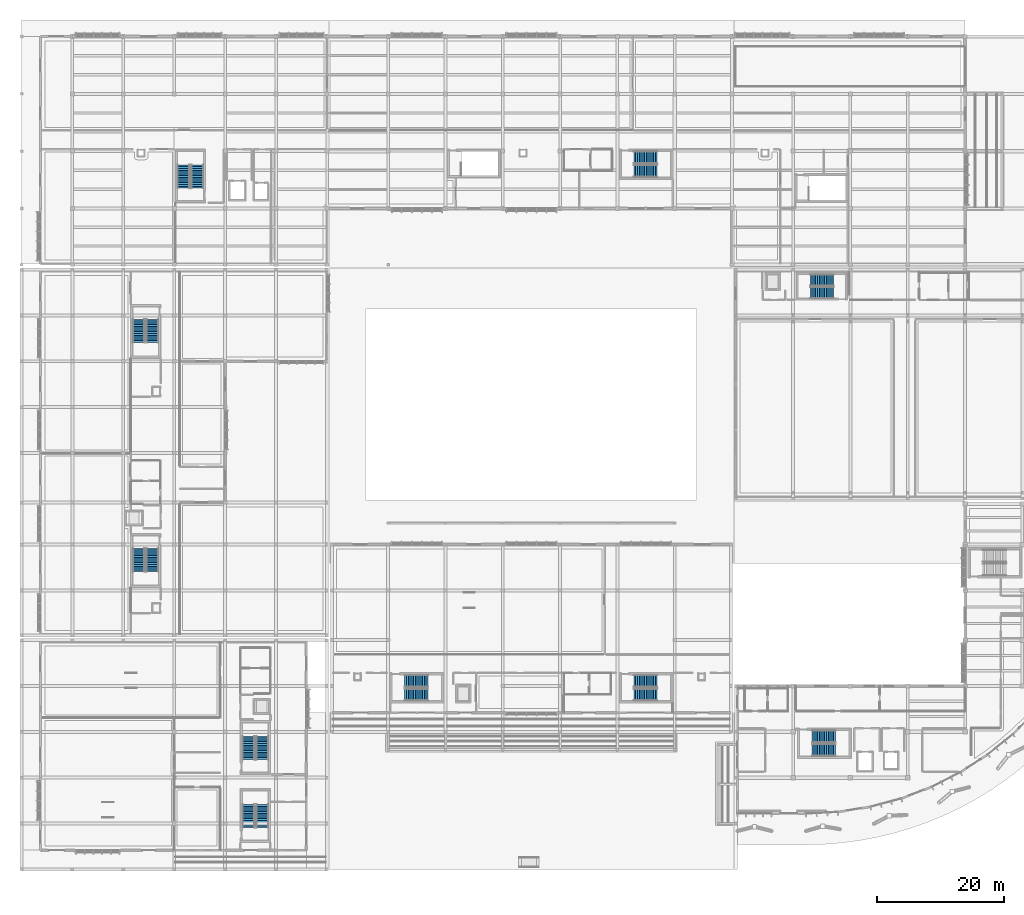
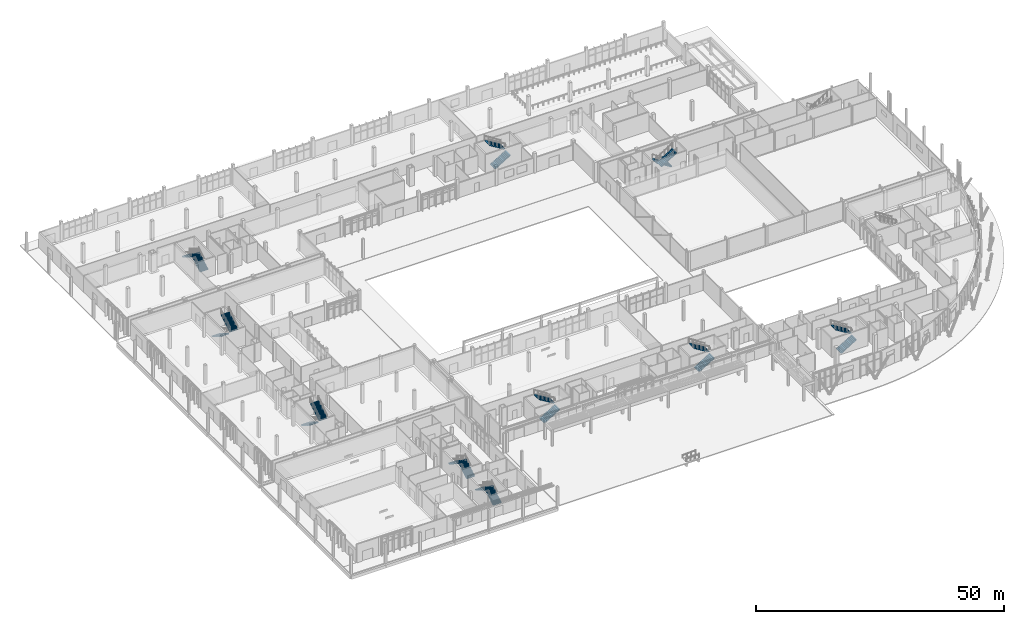
# One storey, part 132 of 151: 20 stair flights, 10 elements without a shape of their own.
"""IFC4 building model written with IfcOpenShell, lengths in metres."""

from ifc_helpers import new_model, si_unit, direction, frame, origin, place, context, subcontext, project, spatial, polyline, outline, extrude, material, type_object, element, aggregate, save


model = new_model("IFC4")

# Units and contexts
model_context = context("Model", 3, precision=1e-05, world=origin(), true_north=direction((0.0, 1.0)))
body_context = subcontext(model_context, "Body", "Model", "MODEL_VIEW")
ifc_project = project(units=[si_unit("LENGTHUNIT", "METRE"), si_unit("AREAUNIT", "SQUARE_METRE"), si_unit("VOLUMEUNIT", "CUBIC_METRE"), si_unit("PLANEANGLEUNIT", "RADIAN"), si_unit("MASSUNIT", "GRAM", prefix="KILO")], contexts=[model_context])

# Site, building, storey
site_placement = place(None, origin())
site = spatial("IfcSite", under=ifc_project, at=site_placement, CompositionType="ELEMENT")
building_placement = place(site_placement, origin())
building = spatial("IfcBuilding", under=site, at=building_placement, Name="Chiffa Square Polytechnic", CompositionType="ELEMENT")
storey_placement = place(building_placement, origin())
storey = spatial("IfcBuildingStorey", under=building, at=storey_placement, Name="L00", CompositionType="ELEMENT", Elevation=0.0)

# Stair, stair flights
ifc_material = material(Name="Concrete C35/45", Category="concrete")
stair_type_1 = type_object("IfcStairType", Name="STAIR-STR-1850", PredefinedType="HALF_TURN_STAIR", material=ifc_material)
stair_1_placement = place(storey_placement, origin())
stair_1 = element("IfcStair", 1, at=stair_1_placement, inside=storey, type_object=stair_type_1, Name="L00 Enclosed exit stair ST-V2A", PredefinedType="HALF_TURN_STAIR")
stair_flight_type_1 = type_object("IfcStairFlightType", Name="STFLT-1850", PredefinedType="STRAIGHT", material=ifc_material)
stair_flight_1_placement = place(storey_placement, frame((127.550048828125, 92.52490234375, 0.0), z_axis=(0.0, 0.0, 1.0), x_axis=(-1.0, 0.0, 0.0)))
stair_flight_1 = element("IfcStairFlight", 2, at=stair_flight_1_placement, type_object=stair_flight_type_1, Name="ST-V2A flight 1", NumberOfRisers=14, NumberOfTreads=13, PredefinedType="STRAIGHT", RiserHeight=0.171428571, TreadLength=0.28, context=body_context, shape_type="SweptSolid", body=[
    extrude(outline(polyline([(0.0, 0.0), (0.0, 0.17138671875), (0.280029296875, 0.17138671875), (0.280029296875, 0.3427734375), (0.56005859375, 0.3427734375), (0.56005859375, 0.514404296875), (0.840087890625, 0.514404296875), (0.840087890625, 0.685791015625), (1.1201171875, 0.685791015625), (1.1201171875, 0.857177734375), (1.39990234375, 0.857177734375), (1.39990234375, 1.028564453125), (1.679931640625, 1.028564453125), (1.679931640625, 1.199951171875), (1.9599609375, 1.199951171875), (1.9599609375, 1.371337890625), (2.239990234375, 1.371337890625), (2.239990234375, 1.54296875), (2.52001953125, 1.54296875), (2.52001953125, 1.71435546875), (2.800048828125, 1.71435546875), (2.800048828125, 1.8857421875), (3.080078125, 1.8857421875), (3.080078125, 2.05712890625), (3.360107421875, 2.05712890625), (3.360107421875, 2.228515625), (3.639892578125, 2.228515625), (3.639892578125, 2.39990234375), (3.639892578125, 2.041015625), (0.30615234375, 0.0), (0.0, 0.0)])), frame((0.0, 0.925048828125, 0.0), z_axis=(0.0, -1.0, 0.0), x_axis=(1.0, 0.0, 0.0)), (0.0, 0.0, 1.0), 1.85009765625),
])
stair_flight_2_placement = place(storey_placement, frame((123.909912109375, 90.574951171875, 2.39990234375), z_axis=(0.0, 0.0, 1.0), x_axis=(1.0, 0.0, 0.0)))
stair_flight_2 = element("IfcStairFlight", 3, at=stair_flight_2_placement, type_object=stair_flight_type_1, Name="ST-V2A flight 2", NumberOfRisers=14, NumberOfTreads=13, PredefinedType="STRAIGHT", RiserHeight=0.171428571, TreadLength=0.28, context=body_context, shape_type="SweptSolid", body=[
    extrude(outline(polyline([(0.0, 0.0), (0.0, 0.17138671875), (0.280029296875, 0.17138671875), (0.280029296875, 0.3427734375), (0.56005859375, 0.3427734375), (0.56005859375, 0.514404296875), (0.840087890625, 0.514404296875), (0.840087890625, 0.685791015625), (1.1201171875, 0.685791015625), (1.1201171875, 0.857177734375), (1.39990234375, 0.857177734375), (1.39990234375, 1.028564453125), (1.679931640625, 1.028564453125), (1.679931640625, 1.199951171875), (1.9599609375, 1.199951171875), (1.9599609375, 1.371337890625), (2.239990234375, 1.371337890625), (2.239990234375, 1.54296875), (2.52001953125, 1.54296875), (2.52001953125, 1.71435546875), (2.800048828125, 1.71435546875), (2.800048828125, 1.8857421875), (3.080078125, 1.8857421875), (3.080078125, 2.05712890625), (3.360107421875, 2.05712890625), (3.360107421875, 2.228515625), (3.639892578125, 2.228515625), (3.639892578125, 2.39990234375), (3.639892578125, 2.041015625), (0.30615234375, 0.0), (0.0, 0.0)])), frame((0.0, 0.925048828125, 0.0), z_axis=(0.0, -1.0, 0.0), x_axis=(1.0, 0.0, 0.0)), (0.0, 0.0, 1.0), 1.85009765625),
])
aggregate(stair_1, [stair_flight_1, stair_flight_2])

stair_type_2 = type_object("IfcStairType", Name="STAIR-DOG-1950", PredefinedType="HALF_TURN_STAIR", material=ifc_material)
stair_2_placement = place(storey_placement, origin())
stair_2 = element("IfcStair", 4, at=stair_2_placement, inside=storey, type_object=stair_type_2, Name="L00 Enclosed exit stair ST-V1A", PredefinedType="HALF_TURN_STAIR")
stair_flight_type_2 = type_object("IfcStairFlightType", Name="STFLT-1950", PredefinedType="STRAIGHT", material=ifc_material)
stair_flight_3_placement = place(storey_placement, frame((124.199951171875, 18.72509765625, 0.0), z_axis=(0.0, 0.0, 1.0), x_axis=(1.0, 0.0, 0.0)))
stair_flight_3 = element("IfcStairFlight", 5, at=stair_flight_3_placement, type_object=stair_flight_type_2, Name="ST-V1A flight 1", NumberOfRisers=14, NumberOfTreads=13, PredefinedType="STRAIGHT", RiserHeight=0.171428571, TreadLength=0.28, context=body_context, shape_type="SweptSolid", body=[
    extrude(outline(polyline([(0.0, 0.0), (0.0, 0.17138671875), (0.280029296875, 0.17138671875), (0.280029296875, 0.3427734375), (0.56005859375, 0.3427734375), (0.56005859375, 0.514404296875), (0.840087890625, 0.514404296875), (0.840087890625, 0.685791015625), (1.1201171875, 0.685791015625), (1.1201171875, 0.857177734375), (1.39990234375, 0.857177734375), (1.39990234375, 1.028564453125), (1.679931640625, 1.028564453125), (1.679931640625, 1.199951171875), (1.9599609375, 1.199951171875), (1.9599609375, 1.371337890625), (2.239990234375, 1.371337890625), (2.239990234375, 1.54296875), (2.52001953125, 1.54296875), (2.52001953125, 1.71435546875), (2.800048828125, 1.71435546875), (2.800048828125, 1.8857421875), (3.080078125, 1.8857421875), (3.080078125, 2.05712890625), (3.360107421875, 2.05712890625), (3.360107421875, 2.228515625), (3.639892578125, 2.228515625), (3.639892578125, 2.39990234375), (3.639892578125, 2.041015625), (0.30615234375, 0.0), (0.0, 0.0)])), frame((0.0, 0.97509765625, 0.0), z_axis=(0.0, -1.0, 0.0), x_axis=(1.0, 0.0, 0.0)), (0.0, 0.0, 1.0), 1.949951171875),
])
stair_flight_4_placement = place(storey_placement, frame((127.840087890625, 20.875, 2.39990234375), z_axis=(0.0, 0.0, 1.0), x_axis=(-1.0, 0.0, 0.0)))
stair_flight_4 = element("IfcStairFlight", 6, at=stair_flight_4_placement, type_object=stair_flight_type_2, Name="ST-V1A flight 2", NumberOfRisers=14, NumberOfTreads=13, PredefinedType="STRAIGHT", RiserHeight=0.171428571, TreadLength=0.28, context=body_context, shape_type="SweptSolid", body=[
    extrude(outline(polyline([(0.0, 0.0), (0.0, 0.17138671875), (0.280029296875, 0.17138671875), (0.280029296875, 0.3427734375), (0.56005859375, 0.3427734375), (0.56005859375, 0.514404296875), (0.840087890625, 0.514404296875), (0.840087890625, 0.685791015625), (1.1201171875, 0.685791015625), (1.1201171875, 0.857177734375), (1.39990234375, 0.857177734375), (1.39990234375, 1.028564453125), (1.679931640625, 1.028564453125), (1.679931640625, 1.199951171875), (1.9599609375, 1.199951171875), (1.9599609375, 1.371337890625), (2.239990234375, 1.371337890625), (2.239990234375, 1.54296875), (2.52001953125, 1.54296875), (2.52001953125, 1.71435546875), (2.800048828125, 1.71435546875), (2.800048828125, 1.8857421875), (3.080078125, 1.8857421875), (3.080078125, 2.05712890625), (3.360107421875, 2.05712890625), (3.360107421875, 2.228515625), (3.639892578125, 2.228515625), (3.639892578125, 2.39990234375), (3.639892578125, 2.041015625), (0.30615234375, 0.0), (0.0, 0.0)])), frame((0.0, 0.97509765625, 0.0), z_axis=(0.0, -1.0, 0.0), x_axis=(1.0, 0.0, 0.0)), (0.0, 0.0, 1.0), 1.949951171875),
])
aggregate(stair_2, [stair_flight_3, stair_flight_4])

stair_3_placement = place(storey_placement, origin())
stair_3 = element("IfcStair", 7, at=stair_3_placement, inside=storey, type_object=stair_type_2, Name="L00 Enclosed exit stair ST-V3A", PredefinedType="HALF_TURN_STAIR")
stair_flight_5_placement = place(storey_placement, frame((37.824951171875, 6.550048828125, 0.0), z_axis=(0.0, 0.0, 1.0), x_axis=(0.0, 1.0, 0.0)))
stair_flight_5 = element("IfcStairFlight", 8, at=stair_flight_5_placement, type_object=stair_flight_type_2, Name="ST-V3A flight 1", NumberOfRisers=14, NumberOfTreads=13, PredefinedType="STRAIGHT", RiserHeight=0.171428571, TreadLength=0.28, context=body_context, shape_type="SweptSolid", body=[
    extrude(outline(polyline([(0.0, 0.0), (0.0, 0.17138671875), (0.280029296875, 0.17138671875), (0.280029296875, 0.3427734375), (0.56005859375, 0.3427734375), (0.56005859375, 0.514404296875), (0.840087890625, 0.514404296875), (0.840087890625, 0.685791015625), (1.1201171875, 0.685791015625), (1.1201171875, 0.857177734375), (1.39990234375, 0.857177734375), (1.39990234375, 1.028564453125), (1.679931640625, 1.028564453125), (1.679931640625, 1.199951171875), (1.9599609375, 1.199951171875), (1.9599609375, 1.371337890625), (2.239990234375, 1.371337890625), (2.239990234375, 1.54296875), (2.52001953125, 1.54296875), (2.52001953125, 1.71435546875), (2.800048828125, 1.71435546875), (2.800048828125, 1.8857421875), (3.080078125, 1.8857421875), (3.080078125, 2.05712890625), (3.360107421875, 2.05712890625), (3.360107421875, 2.228515625), (3.639892578125, 2.228515625), (3.639892578125, 2.39990234375), (3.639892578125, 2.041015625), (0.30615234375, 0.0), (0.0, 0.0)])), frame((0.0, 0.97509765625, 0.0), z_axis=(0.0, -1.0, 0.0), x_axis=(1.0, 0.0, 0.0)), (0.0, 0.0, 1.0), 1.949951171875),
])
stair_flight_6_placement = place(storey_placement, frame((35.675048828125, 10.18994140625, 2.39990234375), z_axis=(0.0, 0.0, 1.0), x_axis=(0.0, -1.0, 0.0)))
stair_flight_6 = element("IfcStairFlight", 9, at=stair_flight_6_placement, type_object=stair_flight_type_2, Name="ST-V3A flight 2", NumberOfRisers=14, NumberOfTreads=13, PredefinedType="STRAIGHT", RiserHeight=0.171428571, TreadLength=0.28, context=body_context, shape_type="SweptSolid", body=[
    extrude(outline(polyline([(0.0, 0.0), (0.0, 0.17138671875), (0.280029296875, 0.17138671875), (0.280029296875, 0.3427734375), (0.56005859375, 0.3427734375), (0.56005859375, 0.514404296875), (0.840087890625, 0.514404296875), (0.840087890625, 0.685791015625), (1.1201171875, 0.685791015625), (1.1201171875, 0.857177734375), (1.39990234375, 0.857177734375), (1.39990234375, 1.028564453125), (1.679931640625, 1.028564453125), (1.679931640625, 1.199951171875), (1.9599609375, 1.199951171875), (1.9599609375, 1.371337890625), (2.239990234375, 1.371337890625), (2.239990234375, 1.54296875), (2.52001953125, 1.54296875), (2.52001953125, 1.71435546875), (2.800048828125, 1.71435546875), (2.800048828125, 1.8857421875), (3.080078125, 1.8857421875), (3.080078125, 2.05712890625), (3.360107421875, 2.05712890625), (3.360107421875, 2.228515625), (3.639892578125, 2.228515625), (3.639892578125, 2.39990234375), (3.639892578125, 2.041015625), (0.30615234375, 0.0), (0.0, 0.0)])), frame((0.0, 0.97509765625, 0.0), z_axis=(0.0, -1.0, 0.0), x_axis=(1.0, 0.0, 0.0)), (0.0, 0.0, 1.0), 1.949951171875),
])
aggregate(stair_3, [stair_flight_5, stair_flight_6])

stair_4_placement = place(storey_placement, origin())
stair_4 = element("IfcStair", 10, at=stair_4_placement, inside=storey, type_object=stair_type_2, Name="L00 Enclosed exit stair ST-V3B", PredefinedType="HALF_TURN_STAIR")
stair_flight_7_placement = place(storey_placement, frame((37.824951171875, 17.25, 0.0), z_axis=(0.0, 0.0, 1.0), x_axis=(0.0, 1.0, 0.0)))
stair_flight_7 = element("IfcStairFlight", 11, at=stair_flight_7_placement, type_object=stair_flight_type_2, Name="ST-V3B flight 1", NumberOfRisers=14, NumberOfTreads=13, PredefinedType="STRAIGHT", RiserHeight=0.171428571, TreadLength=0.28, context=body_context, shape_type="SweptSolid", body=[
    extrude(outline(polyline([(0.0, 0.0), (0.0, 0.17138671875), (0.280029296875, 0.17138671875), (0.280029296875, 0.3427734375), (0.56005859375, 0.3427734375), (0.56005859375, 0.514404296875), (0.840087890625, 0.514404296875), (0.840087890625, 0.685791015625), (1.1201171875, 0.685791015625), (1.1201171875, 0.857177734375), (1.39990234375, 0.857177734375), (1.39990234375, 1.028564453125), (1.679931640625, 1.028564453125), (1.679931640625, 1.199951171875), (1.9599609375, 1.199951171875), (1.9599609375, 1.371337890625), (2.239990234375, 1.371337890625), (2.239990234375, 1.54296875), (2.52001953125, 1.54296875), (2.52001953125, 1.71435546875), (2.800048828125, 1.71435546875), (2.800048828125, 1.8857421875), (3.080078125, 1.8857421875), (3.080078125, 2.05712890625), (3.360107421875, 2.05712890625), (3.360107421875, 2.228515625), (3.639892578125, 2.228515625), (3.639892578125, 2.39990234375), (3.639892578125, 2.041015625), (0.30615234375, 0.0), (0.0, 0.0)])), frame((0.0, 0.97509765625, 0.0), z_axis=(0.0, -1.0, 0.0), x_axis=(1.0, 0.0, 0.0)), (0.0, 0.0, 1.0), 1.949951171875),
])
stair_flight_8_placement = place(storey_placement, frame((35.675048828125, 20.889892578125, 2.39990234375), z_axis=(0.0, 0.0, 1.0), x_axis=(0.0, -1.0, 0.0)))
stair_flight_8 = element("IfcStairFlight", 12, at=stair_flight_8_placement, type_object=stair_flight_type_2, Name="ST-V3B flight 2", NumberOfRisers=14, NumberOfTreads=13, PredefinedType="STRAIGHT", RiserHeight=0.171428571, TreadLength=0.28, context=body_context, shape_type="SweptSolid", body=[
    extrude(outline(polyline([(0.0, 0.0), (0.0, 0.17138671875), (0.280029296875, 0.17138671875), (0.280029296875, 0.3427734375), (0.56005859375, 0.3427734375), (0.56005859375, 0.514404296875), (0.840087890625, 0.514404296875), (0.840087890625, 0.685791015625), (1.1201171875, 0.685791015625), (1.1201171875, 0.857177734375), (1.39990234375, 0.857177734375), (1.39990234375, 1.028564453125), (1.679931640625, 1.028564453125), (1.679931640625, 1.199951171875), (1.9599609375, 1.199951171875), (1.9599609375, 1.371337890625), (2.239990234375, 1.371337890625), (2.239990234375, 1.54296875), (2.52001953125, 1.54296875), (2.52001953125, 1.71435546875), (2.800048828125, 1.71435546875), (2.800048828125, 1.8857421875), (3.080078125, 1.8857421875), (3.080078125, 2.05712890625), (3.360107421875, 2.05712890625), (3.360107421875, 2.228515625), (3.639892578125, 2.228515625), (3.639892578125, 2.39990234375), (3.639892578125, 2.041015625), (0.30615234375, 0.0), (0.0, 0.0)])), frame((0.0, 0.97509765625, 0.0), z_axis=(0.0, -1.0, 0.0), x_axis=(1.0, 0.0, 0.0)), (0.0, 0.0, 1.0), 1.949951171875),
])
aggregate(stair_4, [stair_flight_7, stair_flight_8])

stair_5_placement = place(storey_placement, origin())
stair_5 = element("IfcStair", 13, at=stair_5_placement, inside=storey, type_object=stair_type_2, Name="L00 Enclosed exit stair ST-V4A", PredefinedType="HALF_TURN_STAIR")
stair_flight_9_placement = place(storey_placement, frame((60.199951171875, 27.425048828125, 0.0), z_axis=(0.0, 0.0, 1.0), x_axis=(1.0, 0.0, 0.0)))
stair_flight_9 = element("IfcStairFlight", 14, at=stair_flight_9_placement, type_object=stair_flight_type_2, Name="ST-V4A flight 1", NumberOfRisers=14, NumberOfTreads=13, PredefinedType="STRAIGHT", RiserHeight=0.171428571, TreadLength=0.28, context=body_context, shape_type="SweptSolid", body=[
    extrude(outline(polyline([(0.0, 0.0), (0.0, 0.17138671875), (0.280029296875, 0.17138671875), (0.280029296875, 0.3427734375), (0.56005859375, 0.3427734375), (0.56005859375, 0.514404296875), (0.840087890625, 0.514404296875), (0.840087890625, 0.685791015625), (1.1201171875, 0.685791015625), (1.1201171875, 0.857177734375), (1.39990234375, 0.857177734375), (1.39990234375, 1.028564453125), (1.679931640625, 1.028564453125), (1.679931640625, 1.199951171875), (1.9599609375, 1.199951171875), (1.9599609375, 1.371337890625), (2.239990234375, 1.371337890625), (2.239990234375, 1.54296875), (2.52001953125, 1.54296875), (2.52001953125, 1.71435546875), (2.800048828125, 1.71435546875), (2.800048828125, 1.8857421875), (3.080078125, 1.8857421875), (3.080078125, 2.05712890625), (3.360107421875, 2.05712890625), (3.360107421875, 2.228515625), (3.639892578125, 2.228515625), (3.639892578125, 2.39990234375), (3.639892578125, 2.041015625), (0.30615234375, 0.0), (0.0, 0.0)])), frame((0.0, 0.97509765625, 0.0), z_axis=(0.0, -1.0, 0.0), x_axis=(1.0, 0.0, 0.0)), (0.0, 0.0, 1.0), 1.949951171875),
])
stair_flight_10_placement = place(storey_placement, frame((63.840087890625, 29.574951171875, 2.39990234375), z_axis=(0.0, 0.0, 1.0), x_axis=(-1.0, 0.0, 0.0)))
stair_flight_10 = element("IfcStairFlight", 15, at=stair_flight_10_placement, type_object=stair_flight_type_2, Name="ST-V4A flight 2", NumberOfRisers=14, NumberOfTreads=13, PredefinedType="STRAIGHT", RiserHeight=0.171428571, TreadLength=0.28, context=body_context, shape_type="SweptSolid", body=[
    extrude(outline(polyline([(0.0, 0.0), (0.0, 0.17138671875), (0.280029296875, 0.17138671875), (0.280029296875, 0.3427734375), (0.56005859375, 0.3427734375), (0.56005859375, 0.514404296875), (0.840087890625, 0.514404296875), (0.840087890625, 0.685791015625), (1.1201171875, 0.685791015625), (1.1201171875, 0.857177734375), (1.39990234375, 0.857177734375), (1.39990234375, 1.028564453125), (1.679931640625, 1.028564453125), (1.679931640625, 1.199951171875), (1.9599609375, 1.199951171875), (1.9599609375, 1.371337890625), (2.239990234375, 1.371337890625), (2.239990234375, 1.54296875), (2.52001953125, 1.54296875), (2.52001953125, 1.71435546875), (2.800048828125, 1.71435546875), (2.800048828125, 1.8857421875), (3.080078125, 1.8857421875), (3.080078125, 2.05712890625), (3.360107421875, 2.05712890625), (3.360107421875, 2.228515625), (3.639892578125, 2.228515625), (3.639892578125, 2.39990234375), (3.639892578125, 2.041015625), (0.30615234375, 0.0), (0.0, 0.0)])), frame((0.0, 0.97509765625, 0.0), z_axis=(0.0, -1.0, 0.0), x_axis=(1.0, 0.0, 0.0)), (0.0, 0.0, 1.0), 1.949951171875),
])
aggregate(stair_5, [stair_flight_9, stair_flight_10])

stair_6_placement = place(storey_placement, origin())
stair_6 = element("IfcStair", 16, at=stair_6_placement, inside=storey, type_object=stair_type_2, Name="L00 Enclosed exit stair ST-V4B", PredefinedType="HALF_TURN_STAIR")
stair_flight_11_placement = place(storey_placement, frame((96.199951171875, 27.425048828125, 0.0), z_axis=(0.0, 0.0, 1.0), x_axis=(1.0, 0.0, 0.0)))
stair_flight_11 = element("IfcStairFlight", 17, at=stair_flight_11_placement, type_object=stair_flight_type_2, Name="ST-V4B flight 1", NumberOfRisers=14, NumberOfTreads=13, PredefinedType="STRAIGHT", RiserHeight=0.171428571, TreadLength=0.28, context=body_context, shape_type="SweptSolid", body=[
    extrude(outline(polyline([(0.0, 0.0), (0.0, 0.17138671875), (0.280029296875, 0.17138671875), (0.280029296875, 0.3427734375), (0.56005859375, 0.3427734375), (0.56005859375, 0.514404296875), (0.840087890625, 0.514404296875), (0.840087890625, 0.685791015625), (1.1201171875, 0.685791015625), (1.1201171875, 0.857177734375), (1.39990234375, 0.857177734375), (1.39990234375, 1.028564453125), (1.679931640625, 1.028564453125), (1.679931640625, 1.199951171875), (1.9599609375, 1.199951171875), (1.9599609375, 1.371337890625), (2.239990234375, 1.371337890625), (2.239990234375, 1.54296875), (2.52001953125, 1.54296875), (2.52001953125, 1.71435546875), (2.800048828125, 1.71435546875), (2.800048828125, 1.8857421875), (3.080078125, 1.8857421875), (3.080078125, 2.05712890625), (3.360107421875, 2.05712890625), (3.360107421875, 2.228515625), (3.639892578125, 2.228515625), (3.639892578125, 2.39990234375), (3.639892578125, 2.041015625), (0.30615234375, 0.0), (0.0, 0.0)])), frame((0.0, 0.97509765625, 0.0), z_axis=(0.0, -1.0, 0.0), x_axis=(1.0, 0.0, 0.0)), (0.0, 0.0, 1.0), 1.949951171875),
])
stair_flight_12_placement = place(storey_placement, frame((99.840087890625, 29.574951171875, 2.39990234375), z_axis=(0.0, 0.0, 1.0), x_axis=(-1.0, 0.0, 0.0)))
stair_flight_12 = element("IfcStairFlight", 18, at=stair_flight_12_placement, type_object=stair_flight_type_2, Name="ST-V4B flight 2", NumberOfRisers=14, NumberOfTreads=13, PredefinedType="STRAIGHT", RiserHeight=0.171428571, TreadLength=0.28, context=body_context, shape_type="SweptSolid", body=[
    extrude(outline(polyline([(0.0, 0.0), (0.0, 0.17138671875), (0.280029296875, 0.17138671875), (0.280029296875, 0.3427734375), (0.56005859375, 0.3427734375), (0.56005859375, 0.514404296875), (0.840087890625, 0.514404296875), (0.840087890625, 0.685791015625), (1.1201171875, 0.685791015625), (1.1201171875, 0.857177734375), (1.39990234375, 0.857177734375), (1.39990234375, 1.028564453125), (1.679931640625, 1.028564453125), (1.679931640625, 1.199951171875), (1.9599609375, 1.199951171875), (1.9599609375, 1.371337890625), (2.239990234375, 1.371337890625), (2.239990234375, 1.54296875), (2.52001953125, 1.54296875), (2.52001953125, 1.71435546875), (2.800048828125, 1.71435546875), (2.800048828125, 1.8857421875), (3.080078125, 1.8857421875), (3.080078125, 2.05712890625), (3.360107421875, 2.05712890625), (3.360107421875, 2.228515625), (3.639892578125, 2.228515625), (3.639892578125, 2.39990234375), (3.639892578125, 2.041015625), (0.30615234375, 0.0), (0.0, 0.0)])), frame((0.0, 0.97509765625, 0.0), z_axis=(0.0, -1.0, 0.0), x_axis=(1.0, 0.0, 0.0)), (0.0, 0.0, 1.0), 1.949951171875),
])
aggregate(stair_6, [stair_flight_11, stair_flight_12])

stair_7_placement = place(storey_placement, origin())
stair_7 = element("IfcStair", 19, at=stair_7_placement, inside=storey, type_object=stair_type_2, Name="L00 Enclosed exit stair ST-V5A", PredefinedType="HALF_TURN_STAIR")
stair_flight_13_placement = place(storey_placement, frame((27.625, 107.0, 0.0), z_axis=(0.0, 0.0, 1.0), x_axis=(0.0, 1.0, 0.0)))
stair_flight_13 = element("IfcStairFlight", 20, at=stair_flight_13_placement, type_object=stair_flight_type_2, Name="ST-V5A flight 1", NumberOfRisers=14, NumberOfTreads=13, PredefinedType="STRAIGHT", RiserHeight=0.171428571, TreadLength=0.28, context=body_context, shape_type="SweptSolid", body=[
    extrude(outline(polyline([(0.0, 0.0), (0.0, 0.17138671875), (0.280029296875, 0.17138671875), (0.280029296875, 0.3427734375), (0.56005859375, 0.3427734375), (0.56005859375, 0.514404296875), (0.840087890625, 0.514404296875), (0.840087890625, 0.685791015625), (1.1201171875, 0.685791015625), (1.1201171875, 0.857177734375), (1.39990234375, 0.857177734375), (1.39990234375, 1.028564453125), (1.679931640625, 1.028564453125), (1.679931640625, 1.199951171875), (1.9599609375, 1.199951171875), (1.9599609375, 1.371337890625), (2.239990234375, 1.371337890625), (2.239990234375, 1.54296875), (2.52001953125, 1.54296875), (2.52001953125, 1.71435546875), (2.800048828125, 1.71435546875), (2.800048828125, 1.8857421875), (3.080078125, 1.8857421875), (3.080078125, 2.05712890625), (3.360107421875, 2.05712890625), (3.360107421875, 2.228515625), (3.639892578125, 2.228515625), (3.639892578125, 2.39990234375), (3.639892578125, 2.041015625), (0.30615234375, 0.0), (0.0, 0.0)])), frame((0.0, 0.97509765625, 0.0), z_axis=(0.0, -1.0, 0.0), x_axis=(1.0, 0.0, 0.0)), (0.0, 0.0, 1.0), 1.949951171875),
])
stair_flight_14_placement = place(storey_placement, frame((25.47509765625, 110.639892578125, 2.39990234375), z_axis=(0.0, 0.0, 1.0), x_axis=(0.0, -1.0, 0.0)))
stair_flight_14 = element("IfcStairFlight", 21, at=stair_flight_14_placement, type_object=stair_flight_type_2, Name="ST-V5A flight 2", NumberOfRisers=14, NumberOfTreads=13, PredefinedType="STRAIGHT", RiserHeight=0.171428571, TreadLength=0.28, context=body_context, shape_type="SweptSolid", body=[
    extrude(outline(polyline([(0.0, 0.0), (0.0, 0.17138671875), (0.280029296875, 0.17138671875), (0.280029296875, 0.3427734375), (0.56005859375, 0.3427734375), (0.56005859375, 0.514404296875), (0.840087890625, 0.514404296875), (0.840087890625, 0.685791015625), (1.1201171875, 0.685791015625), (1.1201171875, 0.857177734375), (1.39990234375, 0.857177734375), (1.39990234375, 1.028564453125), (1.679931640625, 1.028564453125), (1.679931640625, 1.199951171875), (1.9599609375, 1.199951171875), (1.9599609375, 1.371337890625), (2.239990234375, 1.371337890625), (2.239990234375, 1.54296875), (2.52001953125, 1.54296875), (2.52001953125, 1.71435546875), (2.800048828125, 1.71435546875), (2.800048828125, 1.8857421875), (3.080078125, 1.8857421875), (3.080078125, 2.05712890625), (3.360107421875, 2.05712890625), (3.360107421875, 2.228515625), (3.639892578125, 2.228515625), (3.639892578125, 2.39990234375), (3.639892578125, 2.041015625), (0.30615234375, 0.0), (0.0, 0.0)])), frame((0.0, 0.97509765625, 0.0), z_axis=(0.0, -1.0, 0.0), x_axis=(1.0, 0.0, 0.0)), (0.0, 0.0, 1.0), 1.949951171875),
])
aggregate(stair_7, [stair_flight_13, stair_flight_14])

stair_8_placement = place(storey_placement, origin())
stair_8 = element("IfcStair", 22, at=stair_8_placement, inside=storey, type_object=stair_type_2, Name="L00 Enclosed exit stair ST-V5B", PredefinedType="HALF_TURN_STAIR")
stair_flight_15_placement = place(storey_placement, frame((96.199951171875, 109.675048828125, 0.0), z_axis=(0.0, 0.0, 1.0), x_axis=(1.0, 0.0, 0.0)))
stair_flight_15 = element("IfcStairFlight", 23, at=stair_flight_15_placement, type_object=stair_flight_type_2, Name="ST-V5B flight 1", NumberOfRisers=14, NumberOfTreads=13, PredefinedType="STRAIGHT", RiserHeight=0.171428571, TreadLength=0.28, context=body_context, shape_type="SweptSolid", body=[
    extrude(outline(polyline([(0.0, 0.0), (0.0, 0.17138671875), (0.280029296875, 0.17138671875), (0.280029296875, 0.3427734375), (0.56005859375, 0.3427734375), (0.56005859375, 0.514404296875), (0.840087890625, 0.514404296875), (0.840087890625, 0.685791015625), (1.1201171875, 0.685791015625), (1.1201171875, 0.857177734375), (1.39990234375, 0.857177734375), (1.39990234375, 1.028564453125), (1.679931640625, 1.028564453125), (1.679931640625, 1.199951171875), (1.9599609375, 1.199951171875), (1.9599609375, 1.371337890625), (2.239990234375, 1.371337890625), (2.239990234375, 1.54296875), (2.52001953125, 1.54296875), (2.52001953125, 1.71435546875), (2.800048828125, 1.71435546875), (2.800048828125, 1.8857421875), (3.080078125, 1.8857421875), (3.080078125, 2.05712890625), (3.360107421875, 2.05712890625), (3.360107421875, 2.228515625), (3.639892578125, 2.228515625), (3.639892578125, 2.39990234375), (3.639892578125, 2.041015625), (0.30615234375, 0.0), (0.0, 0.0)])), frame((0.0, 0.97509765625, 0.0), z_axis=(0.0, -1.0, 0.0), x_axis=(1.0, 0.0, 0.0)), (0.0, 0.0, 1.0), 1.949951171875),
])
stair_flight_16_placement = place(storey_placement, frame((99.840087890625, 111.824951171875, 2.39990234375), z_axis=(0.0, 0.0, 1.0), x_axis=(-1.0, 0.0, 0.0)))
stair_flight_16 = element("IfcStairFlight", 24, at=stair_flight_16_placement, type_object=stair_flight_type_2, Name="ST-V5B flight 2", NumberOfRisers=14, NumberOfTreads=13, PredefinedType="STRAIGHT", RiserHeight=0.171428571, TreadLength=0.28, context=body_context, shape_type="SweptSolid", body=[
    extrude(outline(polyline([(0.0, 0.0), (0.0, 0.17138671875), (0.280029296875, 0.17138671875), (0.280029296875, 0.3427734375), (0.56005859375, 0.3427734375), (0.56005859375, 0.514404296875), (0.840087890625, 0.514404296875), (0.840087890625, 0.685791015625), (1.1201171875, 0.685791015625), (1.1201171875, 0.857177734375), (1.39990234375, 0.857177734375), (1.39990234375, 1.028564453125), (1.679931640625, 1.028564453125), (1.679931640625, 1.199951171875), (1.9599609375, 1.199951171875), (1.9599609375, 1.371337890625), (2.239990234375, 1.371337890625), (2.239990234375, 1.54296875), (2.52001953125, 1.54296875), (2.52001953125, 1.71435546875), (2.800048828125, 1.71435546875), (2.800048828125, 1.8857421875), (3.080078125, 1.8857421875), (3.080078125, 2.05712890625), (3.360107421875, 2.05712890625), (3.360107421875, 2.228515625), (3.639892578125, 2.228515625), (3.639892578125, 2.39990234375), (3.639892578125, 2.041015625), (0.30615234375, 0.0), (0.0, 0.0)])), frame((0.0, 0.97509765625, 0.0), z_axis=(0.0, -1.0, 0.0), x_axis=(1.0, 0.0, 0.0)), (0.0, 0.0, 1.0), 1.949951171875),
])
aggregate(stair_8, [stair_flight_15, stair_flight_16])

stair_9_placement = place(storey_placement, origin())
stair_9 = element("IfcStair", 25, at=stair_9_placement, inside=storey, type_object=stair_type_2, Name="L00 Enclosed exit stair ST-V6A", PredefinedType="HALF_TURN_STAIR")
stair_flight_17_placement = place(storey_placement, frame((18.425048828125, 50.39990234375, 0.0), z_axis=(0.0, 0.0, 1.0), x_axis=(0.0, -1.0, 0.0)))
stair_flight_17 = element("IfcStairFlight", 26, at=stair_flight_17_placement, type_object=stair_flight_type_2, Name="ST-V6A flight 1", NumberOfRisers=14, NumberOfTreads=13, PredefinedType="STRAIGHT", RiserHeight=0.171428571, TreadLength=0.28, context=body_context, shape_type="SweptSolid", body=[
    extrude(outline(polyline([(0.0, 0.0), (0.0, 0.17138671875), (0.280029296875, 0.17138671875), (0.280029296875, 0.3427734375), (0.56005859375, 0.3427734375), (0.56005859375, 0.514404296875), (0.840087890625, 0.514404296875), (0.840087890625, 0.685791015625), (1.1201171875, 0.685791015625), (1.1201171875, 0.857177734375), (1.39990234375, 0.857177734375), (1.39990234375, 1.028564453125), (1.679931640625, 1.028564453125), (1.679931640625, 1.199951171875), (1.9599609375, 1.199951171875), (1.9599609375, 1.371337890625), (2.239990234375, 1.371337890625), (2.239990234375, 1.54296875), (2.52001953125, 1.54296875), (2.52001953125, 1.71435546875), (2.800048828125, 1.71435546875), (2.800048828125, 1.8857421875), (3.080078125, 1.8857421875), (3.080078125, 2.05712890625), (3.360107421875, 2.05712890625), (3.360107421875, 2.228515625), (3.639892578125, 2.228515625), (3.639892578125, 2.39990234375), (3.639892578125, 2.041015625), (0.30615234375, 0.0), (0.0, 0.0)])), frame((0.0, 0.97509765625, 0.0), z_axis=(0.0, -1.0, 0.0), x_axis=(1.0, 0.0, 0.0)), (0.0, 0.0, 1.0), 1.949951171875),
])
stair_flight_18_placement = place(storey_placement, frame((20.574951171875, 46.760009765625, 2.39990234375), z_axis=(0.0, 0.0, 1.0), x_axis=(0.0, 1.0, 0.0)))
stair_flight_18 = element("IfcStairFlight", 27, at=stair_flight_18_placement, type_object=stair_flight_type_2, Name="ST-V6A flight 2", NumberOfRisers=14, NumberOfTreads=13, PredefinedType="STRAIGHT", RiserHeight=0.171428571, TreadLength=0.28, context=body_context, shape_type="SweptSolid", body=[
    extrude(outline(polyline([(0.0, 0.0), (0.0, 0.17138671875), (0.280029296875, 0.17138671875), (0.280029296875, 0.3427734375), (0.56005859375, 0.3427734375), (0.56005859375, 0.514404296875), (0.840087890625, 0.514404296875), (0.840087890625, 0.685791015625), (1.1201171875, 0.685791015625), (1.1201171875, 0.857177734375), (1.39990234375, 0.857177734375), (1.39990234375, 1.028564453125), (1.679931640625, 1.028564453125), (1.679931640625, 1.199951171875), (1.9599609375, 1.199951171875), (1.9599609375, 1.371337890625), (2.239990234375, 1.371337890625), (2.239990234375, 1.54296875), (2.52001953125, 1.54296875), (2.52001953125, 1.71435546875), (2.800048828125, 1.71435546875), (2.800048828125, 1.8857421875), (3.080078125, 1.8857421875), (3.080078125, 2.05712890625), (3.360107421875, 2.05712890625), (3.360107421875, 2.228515625), (3.639892578125, 2.228515625), (3.639892578125, 2.39990234375), (3.639892578125, 2.041015625), (0.30615234375, 0.0), (0.0, 0.0)])), frame((0.0, 0.97509765625, 0.0), z_axis=(0.0, -1.0, 0.0), x_axis=(1.0, 0.0, 0.0)), (0.0, 0.0, 1.0), 1.949951171875),
])
aggregate(stair_9, [stair_flight_17, stair_flight_18])

stair_10_placement = place(storey_placement, origin())
stair_10 = element("IfcStair", 28, at=stair_10_placement, inside=storey, type_object=stair_type_2, Name="L00 Enclosed exit stair ST-V6B", PredefinedType="HALF_TURN_STAIR")
stair_flight_19_placement = place(storey_placement, frame((18.425048828125, 86.39990234375, 0.0), z_axis=(0.0, 0.0, 1.0), x_axis=(0.0, -1.0, 0.0)))
stair_flight_19 = element("IfcStairFlight", 29, at=stair_flight_19_placement, type_object=stair_flight_type_2, Name="ST-V6B flight 1", NumberOfRisers=14, NumberOfTreads=13, PredefinedType="STRAIGHT", RiserHeight=0.171428571, TreadLength=0.28, context=body_context, shape_type="SweptSolid", body=[
    extrude(outline(polyline([(0.0, 0.0), (0.0, 0.17138671875), (0.280029296875, 0.17138671875), (0.280029296875, 0.3427734375), (0.56005859375, 0.3427734375), (0.56005859375, 0.514404296875), (0.840087890625, 0.514404296875), (0.840087890625, 0.685791015625), (1.1201171875, 0.685791015625), (1.1201171875, 0.857177734375), (1.39990234375, 0.857177734375), (1.39990234375, 1.028564453125), (1.679931640625, 1.028564453125), (1.679931640625, 1.199951171875), (1.9599609375, 1.199951171875), (1.9599609375, 1.371337890625), (2.239990234375, 1.371337890625), (2.239990234375, 1.54296875), (2.52001953125, 1.54296875), (2.52001953125, 1.71435546875), (2.800048828125, 1.71435546875), (2.800048828125, 1.8857421875), (3.080078125, 1.8857421875), (3.080078125, 2.05712890625), (3.360107421875, 2.05712890625), (3.360107421875, 2.228515625), (3.639892578125, 2.228515625), (3.639892578125, 2.39990234375), (3.639892578125, 2.041015625), (0.30615234375, 0.0), (0.0, 0.0)])), frame((0.0, 0.97509765625, 0.0), z_axis=(0.0, -1.0, 0.0), x_axis=(1.0, 0.0, 0.0)), (0.0, 0.0, 1.0), 1.949951171875),
])
stair_flight_20_placement = place(storey_placement, frame((20.574951171875, 82.760009765625, 2.39990234375), z_axis=(0.0, 0.0, 1.0), x_axis=(0.0, 1.0, 0.0)))
stair_flight_20 = element("IfcStairFlight", 30, at=stair_flight_20_placement, type_object=stair_flight_type_2, Name="ST-V6B flight 2", NumberOfRisers=14, NumberOfTreads=13, PredefinedType="STRAIGHT", RiserHeight=0.171428571, TreadLength=0.28, context=body_context, shape_type="SweptSolid", body=[
    extrude(outline(polyline([(0.0, 0.0), (0.0, 0.17138671875), (0.280029296875, 0.17138671875), (0.280029296875, 0.3427734375), (0.56005859375, 0.3427734375), (0.56005859375, 0.514404296875), (0.840087890625, 0.514404296875), (0.840087890625, 0.685791015625), (1.1201171875, 0.685791015625), (1.1201171875, 0.857177734375), (1.39990234375, 0.857177734375), (1.39990234375, 1.028564453125), (1.679931640625, 1.028564453125), (1.679931640625, 1.199951171875), (1.9599609375, 1.199951171875), (1.9599609375, 1.371337890625), (2.239990234375, 1.371337890625), (2.239990234375, 1.54296875), (2.52001953125, 1.54296875), (2.52001953125, 1.71435546875), (2.800048828125, 1.71435546875), (2.800048828125, 1.8857421875), (3.080078125, 1.8857421875), (3.080078125, 2.05712890625), (3.360107421875, 2.05712890625), (3.360107421875, 2.228515625), (3.639892578125, 2.228515625), (3.639892578125, 2.39990234375), (3.639892578125, 2.041015625), (0.30615234375, 0.0), (0.0, 0.0)])), frame((0.0, 0.97509765625, 0.0), z_axis=(0.0, -1.0, 0.0), x_axis=(1.0, 0.0, 0.0)), (0.0, 0.0, 1.0), 1.949951171875),
])
aggregate(stair_10, [stair_flight_19, stair_flight_20])

save(model, "model.ifc")
